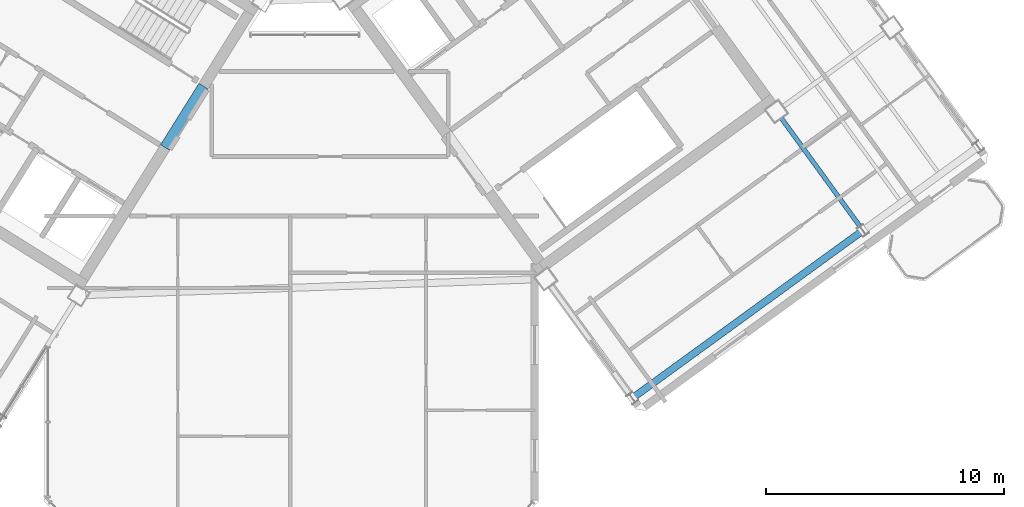
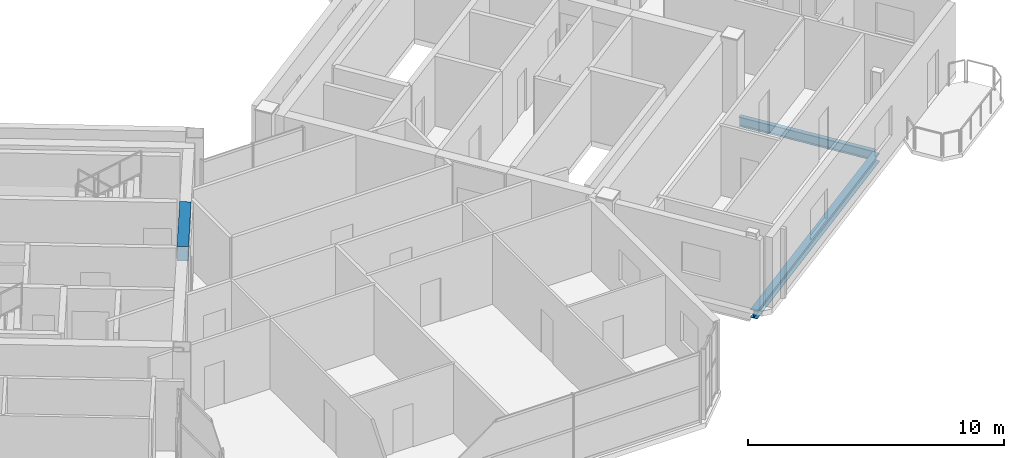
# One storey, part 11 of 25: 3 beams.
"""IFC4 building model written with IfcOpenShell, lengths in metres."""

from ifc_helpers import new_model, si_unit, direction, frame, origin, origin_2d, place, context, subcontext, project, spatial, rectangle, i_section, extrude, source, transform, mapped, material, material_profile, profile_set, type_object, element, save


model = new_model("IFC4")

# Units and contexts
model_context = context("Model", 3, precision=1e-05, world=origin(), true_north=direction((0.0, 1.0)))
body_context = subcontext(model_context, "Body", "Model", "MODEL_VIEW")
ifc_project = project(units=[si_unit("LENGTHUNIT", "METRE"), si_unit("AREAUNIT", "SQUARE_METRE"), si_unit("VOLUMEUNIT", "CUBIC_METRE"), si_unit("PLANEANGLEUNIT", "RADIAN"), si_unit("MASSUNIT", "GRAM", prefix="KILO")], contexts=[model_context])

# Site, building, storey
site_placement = place(None, origin())
site = spatial("IfcSite", under=ifc_project, at=site_placement, CompositionType="ELEMENT")
building_placement = place(site_placement, origin())
building = spatial("IfcBuilding", under=site, at=building_placement, Name="Tlacorven Tower", CompositionType="ELEMENT")
storey_placement = place(building_placement, frame((0.0, 0.0, 259.199951171875)))
storey = spatial("IfcBuildingStorey", under=building, at=storey_placement, Name="L65", CompositionType="ELEMENT", Elevation=259.199951171875)

# Beams
ifc_material_1 = material(Name="Concrete C60/75", Category="concrete")
ifc_material_profile_1 = material_profile(ifc_material_1, rectangle(XDim=0.449951171875, YDim=0.699951171875, at=origin_2d()), Name="RC 450X700")
ifc_profile_set_1 = profile_set([ifc_material_profile_1], Name="Concrete C60/75")
beam_type_1 = type_object("IfcBeamType", Name="BM-LNT-700", PredefinedType="LINTEL", material=ifc_profile_set_1)
shared_shape_1 = source(origin(), body_context, "Body", "SweptSolid", [
    extrude(rectangle(XDim=0.449951171875, YDim=0.699951171875, at=origin_2d()), origin(), (0.0, 0.0, 1.0), 3.050048828125),
])
beam_1_placement = place(storey_placement, frame((38.2998046875, 20.890625, 3.0), z_axis=(-0.529984549635, -0.848007297815, 0.0), x_axis=(0.848007297815, -0.529984549635, 0.0)))
element("IfcBeam", 1, at=beam_1_placement, inside=storey, type_object=beam_type_1, Name="L65 W core coupling lintel beam E1", PredefinedType="LINTEL", context=body_context, shape_type="MappedRepresentation", body=[
    mapped(shared_shape_1, transform((0.0, 0.0, 0.0), scale=1.0)),
])
ifc_material_2 = material(Name="Steel S355J2", Category="steel")
ifc_material_profile_2 = material_profile(ifc_material_2, i_section(OverallWidth=0.300048828125, OverallDepth=0.389892578125, WebThickness=0.010986328125, FlangeThickness=0.01904296875, at=origin_2d()), Name="HEA 400")
ifc_profile_set_2 = profile_set([ifc_material_profile_2], Name="Steel S355J2")
beam_type_2 = type_object("IfcBeamType", Name="BM-SPN-400", PredefinedType="SPANDREL", material=ifc_profile_set_2)
shared_shape_2 = source(origin(), body_context, "Body", "SweptSolid", [
    extrude(i_section(OverallWidth=0.300048828125, OverallDepth=0.389892578125, WebThickness=0.010986328125, FlangeThickness=0.01904296875, at=origin_2d()), origin(), (0.0, 0.0, 1.0), 11.800048828125),
])
beam_2_placement = place(storey_placement, frame((56.4306640625, 7.816162109375, -0.445068359375), z_axis=(0.80900977213, 0.587795192732, 0.0), x_axis=(-0.587795192732, 0.80900977213, 0.0)))
element("IfcBeam", 2, at=beam_2_placement, inside=storey, type_object=beam_type_2, Name="L65 beam BM-L65-EL1-1", PredefinedType="SPANDREL", context=body_context, shape_type="MappedRepresentation", body=[
    mapped(shared_shape_2, transform((0.0, 0.0, 0.0), scale=1.0)),
])
ifc_material_profile_3 = material_profile(ifc_material_2, i_section(OverallWidth=0.18994140625, OverallDepth=0.449951171875, WebThickness=0.009521484375, FlangeThickness=0.0146484375, at=origin_2d()), Name="IPE 450")
ifc_profile_set_3 = profile_set([ifc_material_profile_3], Name="Steel S355J2")
beam_type_3 = type_object("IfcBeamType", Name="BM-TWR-450", PredefinedType="BEAM", material=ifc_profile_set_3)
shared_shape_3 = source(origin(), body_context, "Body", "SweptSolid", [
    extrude(i_section(OverallWidth=0.18994140625, OverallDepth=0.449951171875, WebThickness=0.009521484375, FlangeThickness=0.0146484375, at=origin_2d()), origin(), (0.0, 0.0, 1.0), 5.800048828125),
])
beam_3_placement = place(storey_placement, frame((65.9990234375, 14.891845703125, -0.474853515625), z_axis=(-0.587781191743, 0.809019944521, 0.0), x_axis=(-0.809019944521, -0.587781191743, 0.0)))
element("IfcBeam", 3, at=beam_3_placement, inside=storey, type_object=beam_type_3, Name="L65 beam BM-L65-ET3-1", PredefinedType="BEAM", context=body_context, shape_type="MappedRepresentation", body=[
    mapped(shared_shape_3, transform((0.0, 0.0, 0.0), scale=1.0)),
])

save(model, "model.ifc")
